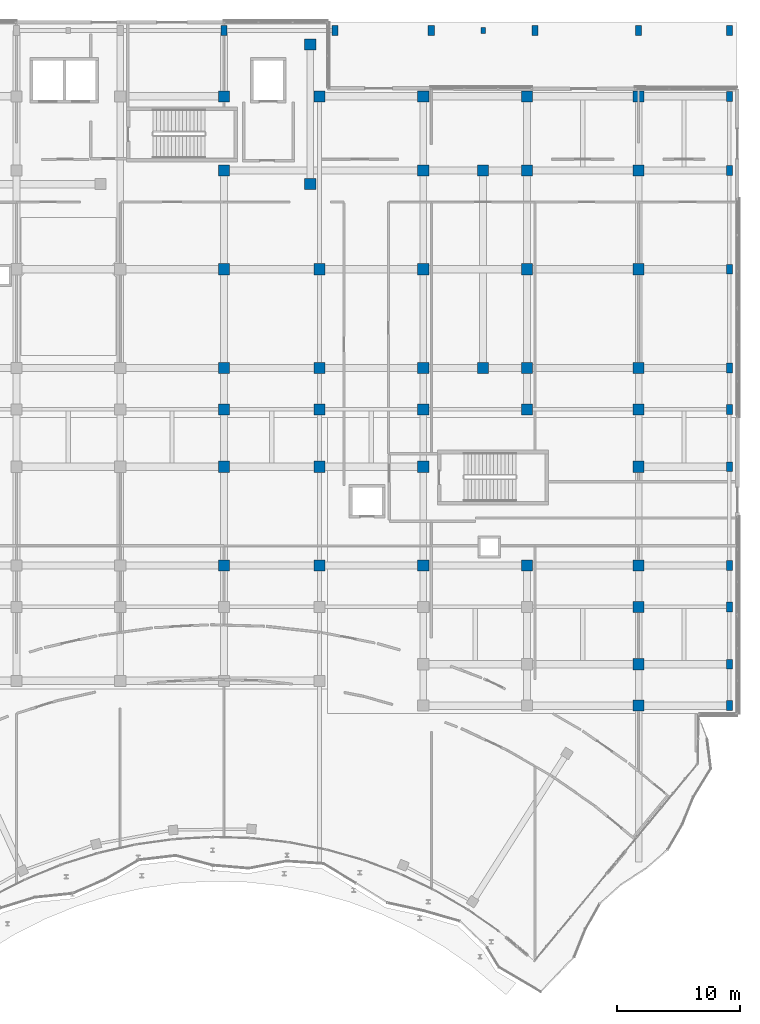
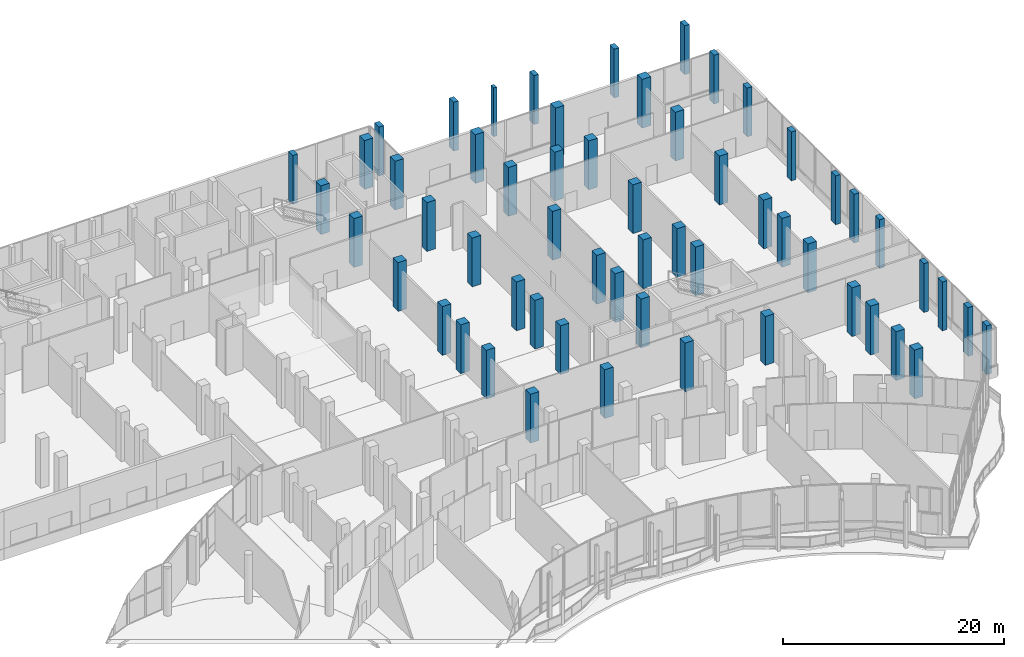
# One storey, part 14 of 158: 57 columns.
"""IFC4 building model written with IfcOpenShell, lengths in metres."""

from ifc_helpers import new_model, si_unit, direction, frame, origin, origin_2d, place, context, subcontext, project, spatial, rectangle, extrude, material, material_profile, profile_set, type_object, element, save


model = new_model("IFC4")

# Units and contexts
model_context = context("Model", 3, precision=1e-05, world=origin(), true_north=direction((0.0, 1.0)))
body_context = subcontext(model_context, "Body", "Model", "MODEL_VIEW")
ifc_project = project(units=[si_unit("LENGTHUNIT", "METRE"), si_unit("AREAUNIT", "SQUARE_METRE"), si_unit("VOLUMEUNIT", "CUBIC_METRE"), si_unit("PLANEANGLEUNIT", "RADIAN"), si_unit("MASSUNIT", "GRAM", prefix="KILO")], contexts=[model_context])

# Site, building, storey
site_placement = place(None, origin())
site = spatial("IfcSite", under=ifc_project, at=site_placement, CompositionType="ELEMENT")
building_placement = place(site_placement, origin())
building = spatial("IfcBuilding", under=site, at=building_placement, Name="Selatvlak General Hospital", CompositionType="ELEMENT")
storey_placement = place(building_placement, origin())
storey = spatial("IfcBuildingStorey", under=building, at=storey_placement, Name="L00", CompositionType="ELEMENT", Elevation=0.0)

# Columns
ifc_material_1 = material(Name="Concrete C40/50", Category="concrete")
ifc_material_profile_1 = material_profile(ifc_material_1, rectangle(XDim=0.35009765625, YDim=0.5, at=origin_2d()), Name="RC-PIL 500x350")
ifc_profile_set_1 = profile_set([ifc_material_profile_1], Name="Concrete C40/50")
column_type_1 = type_object("IfcColumnType", Name="COL-PIL50", PredefinedType="PILASTER", material=ifc_profile_set_1)
column_placement = place(storey_placement, frame((161.39990234375, 119.35009765625, 0.0), z_axis=(0.0, 0.0, 1.0), x_axis=(1.0, 0.0, 0.0)))
element("IfcColumn", 1, at=column_placement, inside=storey, type_object=column_type_1, Name="Inboard core pilaster 6 on L00", PredefinedType="PILASTER", context=body_context, shape_type="SweptSolid", body=[
    extrude(rectangle(XDim=0.35009765625, YDim=0.5, at=origin_2d()), origin(), (0.0, 0.0, 1.0), 5.39990234375),
])
ifc_material_2 = material(Name="Concrete C50/60", Category="concrete")
ifc_material_profile_2 = material_profile(ifc_material_2, rectangle(XDim=0.5, YDim=0.800048828125, at=origin_2d()), Name="RC-COL 800x500")
ifc_profile_set_2 = profile_set([ifc_material_profile_2], Name="Concrete C50/60")
column_type_2 = type_object("IfcColumnType", Name="COL-RC85", PredefinedType="COLUMN", material=ifc_profile_set_2)
for number, where, z_axis, x_axis, name in (
    (2, (149.39990234375, 119.35009765625, 0.0), (0.0, 0.0, 1.0), (1.0, 0.0, 0.0), "Column 122 on L00"),
    (3, (157.199951171875, 119.35009765625, 0.0), (0.0, 0.0, 1.0), (1.0, 0.0, 0.0), "Column 123 on L00"),
    (4, (165.60009765625, 119.35009765625, 0.0), (0.0, 0.0, 1.0), (1.0, 0.0, 0.0), "Column 124 on L00"),
    (5, (174.0, 119.35009765625, 0.0), (0.0, 0.0, 1.0), (1.0, 0.0, 0.0), "Column 125 on L00"),
    (6, (181.35009765625, 119.35009765625, 0.0), (0.0, 0.0, 1.0), (1.0, 0.0, 0.0), "Column 126 on L00"),
    (7, (140.39990234375, 119.35009765625, 0.0), (0.0, 0.0, 1.0), (1.0, 0.0, 0.0), "Column 264 on L00"),
    (8, (181.35009765625, 64.64990234375, 0.0), (0.0, 0.0, 1.0), (1.0, 0.0, 0.0), "Column 304 on L00"),
    (9, (181.35009765625, 68.0, 0.0), (0.0, 0.0, 1.0), (1.0, 0.0, 0.0), "Column 305 on L00"),
    (10, (181.35009765625, 72.64990234375, 0.0), (0.0, 0.0, 1.0), (1.0, 0.0, 0.0), "Column 306 on L00"),
    (11, (181.35009765625, 76.0, 0.0), (0.0, 0.0, 1.0), (1.0, 0.0, 0.0), "Column 307 on L00"),
    (12, (181.35009765625, 84.0, 0.0), (0.0, 0.0, 1.0), (1.0, 0.0, 0.0), "Column 308 on L00"),
    (13, (181.35009765625, 88.64990234375, 0.0), (0.0, 0.0, 1.0), (1.0, 0.0, 0.0), "Column 309 on L00"),
    (14, (181.35009765625, 92.0, 0.0), (0.0, 0.0, 1.0), (1.0, 0.0, 0.0), "Column 310 on L00"),
    (15, (181.35009765625, 100.0, 0.0), (0.0, 0.0, 1.0), (1.0, 0.0, 0.0), "Column 311 on L00"),
    (16, (181.35009765625, 108.0, 0.0), (0.0, 0.0, 1.0), (1.0, 0.0, 0.0), "Column 312 on L00"),
    (17, (181.35009765625, 114.0, 0.0), (0.0, 0.0, 1.0), (1.0, 0.0, 0.0), "Column 313 on L00"),
):
    element("IfcColumn", number, at=place(storey_placement, frame(where, z_axis=z_axis, x_axis=x_axis)), inside=storey, type_object=column_type_2, Name=name, PredefinedType="COLUMN", context=body_context, shape_type="SweptSolid", body=[
        extrude(rectangle(XDim=0.5, YDim=0.800048828125, at=origin_2d()), origin(), (0.0, 0.0, 1.0), 5.39990234375),
    ])
ifc_material_profile_3 = material_profile(ifc_material_2, rectangle(XDim=0.89990234375, YDim=0.89990234375, at=origin_2d()), Name="RC-COL 900x900")
ifc_profile_set_3 = profile_set([ifc_material_profile_3], Name="Concrete C50/60")
column_type_3 = type_object("IfcColumnType", Name="COL-RC90", PredefinedType="COLUMN", material=ifc_profile_set_3)
for number, where, z_axis, x_axis, name in (
    (18, (147.39990234375, 106.89990234375, 0.0), (0.0, 0.0, 1.0), (1.0, 0.0, 0.0), "Column 056 on L00"),
    (19, (147.39990234375, 118.199951171875, 0.0), (0.0, 0.0, 1.0), (1.0, 0.0, 0.0), "Column 059 on L00"),
    (20, (161.39990234375, 92.0, 0.0), (0.0, 0.0, 1.0), (1.0, 0.0, 0.0), "Column 113 on L00"),
    (21, (161.39990234375, 108.0, 0.0), (0.0, 0.0, 1.0), (1.0, 0.0, 0.0), "Column 114 on L00"),
    (22, (140.39990234375, 76.0, 0.0), (0.0, 0.0, 1.0), (1.0, 0.0, 0.0), "Column 257 on L00"),
    (23, (140.39990234375, 84.0, 0.0), (0.0, 0.0, 1.0), (1.0, 0.0, 0.0), "Column 258 on L00"),
    (24, (140.39990234375, 88.64990234375, 0.0), (0.0, 0.0, 1.0), (1.0, 0.0, 0.0), "Column 259 on L00"),
    (25, (140.39990234375, 92.0, 0.0), (0.0, 0.0, 1.0), (1.0, 0.0, 0.0), "Column 260 on L00"),
    (26, (140.39990234375, 100.0, 0.0), (0.0, 0.0, 1.0), (1.0, 0.0, 0.0), "Column 261 on L00"),
    (27, (140.39990234375, 108.0, 0.0), (0.0, 0.0, 1.0), (1.0, 0.0, 0.0), "Column 262 on L00"),
    (28, (140.39990234375, 114.0, 0.0), (0.0, 0.0, 1.0), (1.0, 0.0, 0.0), "Column 263 on L00"),
    (29, (148.14990234375, 76.0, 0.0), (0.0, 0.0, 1.0), (1.0, 0.0, 0.0), "Column 268 on L00"),
    (30, (148.14990234375, 84.0, 0.0), (0.0, 0.0, 1.0), (1.0, 0.0, 0.0), "Column 269 on L00"),
    (31, (148.14990234375, 88.64990234375, 0.0), (0.0, 0.0, 1.0), (1.0, 0.0, 0.0), "Column 270 on L00"),
    (32, (148.14990234375, 92.0, 0.0), (0.0, 0.0, 1.0), (1.0, 0.0, 0.0), "Column 271 on L00"),
    (33, (148.14990234375, 100.0, 0.0), (0.0, 0.0, 1.0), (1.0, 0.0, 0.0), "Column 272 on L00"),
    (34, (148.14990234375, 114.0, 0.0), (0.0, 0.0, 1.0), (1.0, 0.0, 0.0), "Column 273 on L00"),
    (35, (156.550048828125, 76.0, 0.0), (0.0, 0.0, 1.0), (1.0, 0.0, 0.0), "Column 277 on L00"),
    (36, (156.550048828125, 84.0, 0.0), (0.0, 0.0, 1.0), (1.0, 0.0, 0.0), "Column 278 on L00"),
    (37, (156.550048828125, 88.64990234375, 0.0), (0.0, 0.0, 1.0), (1.0, 0.0, 0.0), "Column 279 on L00"),
    (38, (156.550048828125, 92.0, 0.0), (0.0, 0.0, 1.0), (1.0, 0.0, 0.0), "Column 280 on L00"),
    (39, (156.550048828125, 100.0, 0.0), (0.0, 0.0, 1.0), (1.0, 0.0, 0.0), "Column 281 on L00"),
    (40, (156.550048828125, 108.0, 0.0), (0.0, 0.0, 1.0), (1.0, 0.0, 0.0), "Column 282 on L00"),
    (41, (156.550048828125, 114.0, 0.0), (0.0, 0.0, 1.0), (1.0, 0.0, 0.0), "Column 283 on L00"),
    (42, (164.949951171875, 76.0, 0.0), (0.0, 0.0, 1.0), (1.0, 0.0, 0.0), "Column 287 on L00"),
    (43, (164.949951171875, 88.64990234375, 0.0), (0.0, 0.0, 1.0), (1.0, 0.0, 0.0), "Column 288 on L00"),
    (44, (164.949951171875, 92.0, 0.0), (0.0, 0.0, 1.0), (1.0, 0.0, 0.0), "Column 289 on L00"),
    (45, (164.949951171875, 100.0, 0.0), (0.0, 0.0, 1.0), (1.0, 0.0, 0.0), "Column 290 on L00"),
    (46, (164.949951171875, 108.0, 0.0), (0.0, 0.0, 1.0), (1.0, 0.0, 0.0), "Column 291 on L00"),
    (47, (164.949951171875, 114.0, 0.0), (0.0, 0.0, 1.0), (1.0, 0.0, 0.0), "Column 292 on L00"),
    (48, (174.0, 64.64990234375, 0.0), (0.0, 0.0, 1.0), (1.0, 0.0, 0.0), "Column 294 on L00"),
    (49, (174.0, 68.0, 0.0), (0.0, 0.0, 1.0), (1.0, 0.0, 0.0), "Column 295 on L00"),
    (50, (174.0, 72.64990234375, 0.0), (0.0, 0.0, 1.0), (1.0, 0.0, 0.0), "Column 296 on L00"),
    (51, (174.0, 76.0, 0.0), (0.0, 0.0, 1.0), (1.0, 0.0, 0.0), "Column 297 on L00"),
    (52, (174.0, 84.0, 0.0), (0.0, 0.0, 1.0), (1.0, 0.0, 0.0), "Column 298 on L00"),
    (53, (174.0, 88.64990234375, 0.0), (0.0, 0.0, 1.0), (1.0, 0.0, 0.0), "Column 299 on L00"),
    (54, (174.0, 92.0, 0.0), (0.0, 0.0, 1.0), (1.0, 0.0, 0.0), "Column 300 on L00"),
    (55, (174.0, 100.0, 0.0), (0.0, 0.0, 1.0), (1.0, 0.0, 0.0), "Column 301 on L00"),
    (56, (174.0, 108.0, 0.0), (0.0, 0.0, 1.0), (1.0, 0.0, 0.0), "Column 302 on L00"),
    (57, (174.0, 114.0, 0.0), (0.0, 0.0, 1.0), (1.0, 0.0, 0.0), "Column 303 on L00"),
):
    element("IfcColumn", number, at=place(storey_placement, frame(where, z_axis=z_axis, x_axis=x_axis)), inside=storey, type_object=column_type_3, Name=name, PredefinedType="COLUMN", context=body_context, shape_type="SweptSolid", body=[
        extrude(rectangle(XDim=0.89990234375, YDim=0.89990234375, at=origin_2d()), origin(), (0.0, 0.0, 1.0), 5.39990234375),
    ])

save(model, "model.ifc")
